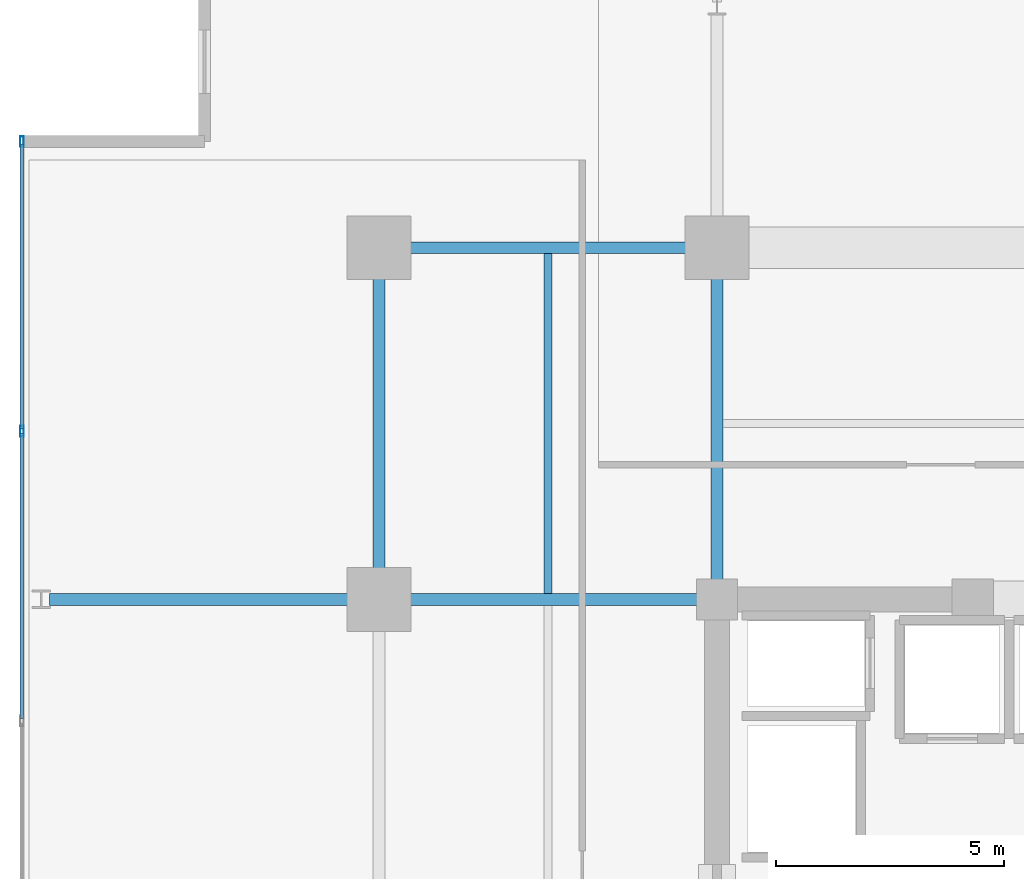
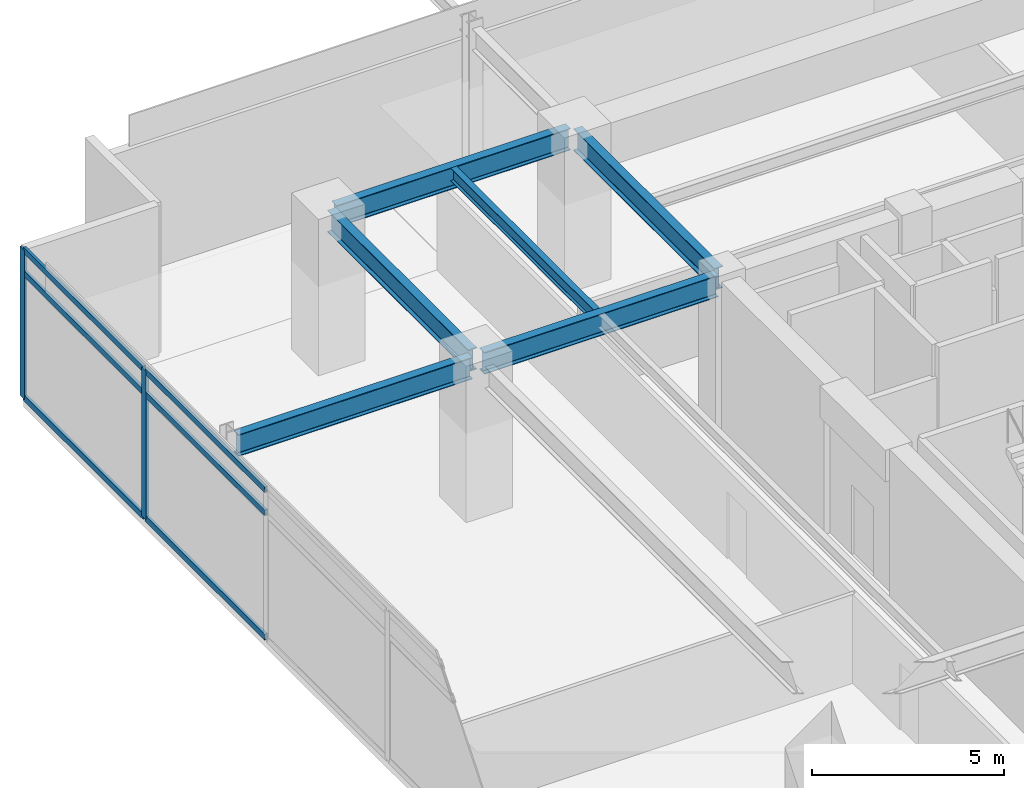
# One storey, part 10 of 21: 8 members, 6 beams, 1 element without a shape of its own.
"""IFC4 building model written with IfcOpenShell, lengths in metres."""

from ifc_helpers import new_model, si_unit, direction, frame, origin, origin_2d, place, context, subcontext, project, spatial, hollow_rectangle, i_section, extrude, material, material_profile, profile_set, type_object, element, aggregate, save


model = new_model("IFC4")

# Units and contexts
model_context = context("Model", 3, precision=1e-05, world=origin(), true_north=direction((0.0, 1.0)))
body_context = subcontext(model_context, "Body", "Model", "MODEL_VIEW")
ifc_project = project(units=[si_unit("LENGTHUNIT", "METRE"), si_unit("AREAUNIT", "SQUARE_METRE"), si_unit("VOLUMEUNIT", "CUBIC_METRE"), si_unit("PLANEANGLEUNIT", "RADIAN"), si_unit("MASSUNIT", "GRAM", prefix="KILO")], contexts=[model_context])

# Site, building, storey
site_placement = place(None, origin())
site = spatial("IfcSite", under=ifc_project, at=site_placement, CompositionType="ELEMENT")
building_placement = place(site_placement, origin())
building = spatial("IfcBuilding", under=site, at=building_placement, Name="Kovane Verandah Tower", CompositionType="ELEMENT")
storey_placement = place(building_placement, frame((0.0, 0.0, 238.199951171875)))
storey = spatial("IfcBuildingStorey", under=building, at=storey_placement, Name="L55", CompositionType="ELEMENT", Elevation=238.199951171875)

# Beams
ifc_material_1 = material(Name="Steel S355", Category="steel")
ifc_material_profile_1 = material_profile(ifc_material_1, i_section(OverallWidth=0.255859375, OverallDepth=0.69287109375, WebThickness=0.014404296875, FlangeThickness=0.023681640625, FilletRadius=0.01513671875, at=origin_2d()), Name="UB686x254x170")
ifc_profile_set_1 = profile_set([ifc_material_profile_1], Name="Steel S355")
beam_type_1 = type_object("IfcBeamType", Name="BM-UB686x170", PredefinedType="BEAM", material=ifc_profile_set_1)
beam_1_placement = place(storey_placement, frame((21.780029296875, 44.199951171875, 4.438720703125), z_axis=(1.0, 0.0, 0.0), x_axis=(0.0, 1.0, 0.0)))
element("IfcBeam", 1, at=beam_1_placement, inside=storey, type_object=beam_type_1, Name="L55 Primary Tower Girder G-RN1", PredefinedType="BEAM", context=body_context, shape_type="SweptSolid", body=[
    extrude(i_section(OverallWidth=0.255859375, OverallDepth=0.69287109375, WebThickness=0.014404296875, FlangeThickness=0.023681640625, FilletRadius=0.01513671875, at=origin_2d()), origin(), (0.0, 0.0, 1.0), 7.0400390625),
])
beam_2_placement = place(storey_placement, frame((21.60009765625, 36.679931640625, 4.438720703125), z_axis=(0.0, 1.0, 0.0), x_axis=(-1.0, 0.0, 0.0)))
element("IfcBeam", 2, at=beam_2_placement, inside=storey, type_object=beam_type_1, Name="L55 Primary Tower Girder G-RW3", PredefinedType="BEAM", context=body_context, shape_type="SweptSolid", body=[
    extrude(i_section(OverallWidth=0.255859375, OverallDepth=0.69287109375, WebThickness=0.014404296875, FlangeThickness=0.023681640625, FilletRadius=0.01513671875, at=origin_2d()), origin(), (0.0, 0.0, 1.0), 7.340087890625),
])
beam_3_placement = place(storey_placement, frame((28.820068359375, 36.5, 4.438720703125), z_axis=(-1.0, 0.0, 0.0), x_axis=(0.0, -1.0, 0.0)))
element("IfcBeam", 3, at=beam_3_placement, inside=storey, type_object=beam_type_1, Name="L55 Primary Tower Girder G-W2", PredefinedType="BEAM", context=body_context, shape_type="SweptSolid", body=[
    extrude(i_section(OverallWidth=0.255859375, OverallDepth=0.69287109375, WebThickness=0.014404296875, FlangeThickness=0.023681640625, FilletRadius=0.01513671875, at=origin_2d()), origin(), (0.0, 0.0, 1.0), 7.0400390625),
])
beam_4_placement = place(storey_placement, frame((29.0, 36.679931640625, 4.438720703125), z_axis=(0.0, 1.0, 0.0), x_axis=(-1.0, 0.0, 0.0)))
element("IfcBeam", 4, at=beam_4_placement, inside=storey, type_object=beam_type_1, Name="L55 Primary Tower Girder G-N1", PredefinedType="BEAM", context=body_context, shape_type="SweptSolid", body=[
    extrude(i_section(OverallWidth=0.255859375, OverallDepth=0.69287109375, WebThickness=0.014404296875, FlangeThickness=0.023681640625, FilletRadius=0.01513671875, at=origin_2d()), origin(), (0.0, 0.0, 1.0), 7.340087890625),
])
beam_5_placement = place(storey_placement, frame((21.419921875, 36.5, 4.41357421875), z_axis=(-1.0, 0.0, 0.0), x_axis=(0.0, -1.0, 0.0)))
element("IfcBeam", 5, at=beam_5_placement, inside=storey, type_object=beam_type_1, Name="L55 Primary Tower Girder G-VW2", PredefinedType="BEAM", context=body_context, shape_type="SweptSolid", body=[
    extrude(i_section(OverallWidth=0.255859375, OverallDepth=0.69287109375, WebThickness=0.014404296875, FlangeThickness=0.023681640625, FilletRadius=0.01513671875, at=origin_2d()), origin(), (0.0, 0.0, 1.0), 7.0400390625),
])

# Curtain wall, members
ifc_material_2 = material(Name="Champagne Anodised Aluminium Frame with Low-E Clear Laminated Glass", Category="aluminium")
curtain_wall_type = type_object("IfcCurtainWallType", Name="CW-SYS-03-MID", PredefinedType="NOTDEFINED", material=ifc_material_2)
curtain_wall_placement = place(storey_placement, origin())
curtain_wall = element("IfcCurtainWall", 6, at=curtain_wall_placement, inside=storey, type_object=curtain_wall_type, Name="L55 W Unitised Curtain Wall", PredefinedType="NOTDEFINED")
ifc_material_3 = material(Name="Champagne Anodised Aluminium 6063-T6", Category="aluminium")
ifc_material_profile_2 = material_profile(ifc_material_3, hollow_rectangle(XDim=0.0849609375, YDim=0.22998046875, WallThickness=0.00390625, at=origin_2d()), Name="AL85x230x4")
ifc_profile_set_2 = profile_set([ifc_material_profile_2], Name="Champagne Anodised Aluminium 6063-T6")
member_type_1 = type_object("IfcMemberType", Name="CW-MUL-85x230", PredefinedType="MULLION", material=ifc_profile_set_2)
member_1_placement = place(storey_placement, frame((13.779296875, 46.5234375, 0.02001953125), z_axis=(0.0, 0.0, 1.0), x_axis=(-1.0, 0.0, 0.0)))
member_1 = element("IfcMember", 7, at=member_1_placement, type_object=member_type_1, Name="L55 W Unitised Curtain Wall Mullion 1", PredefinedType="MULLION", context=body_context, shape_type="SweptSolid", body=[
    extrude(hollow_rectangle(XDim=0.0849609375, YDim=0.22998046875, WallThickness=0.00390625, at=origin_2d()), origin(), (0.0, 0.0, 1.0), 4.7451171875),
])
member_2_placement = place(storey_placement, frame((13.779296875, 40.182373046875, 0.02001953125), z_axis=(0.0, 0.0, 1.0), x_axis=(-1.0, 0.0, 0.0)))
member_2 = element("IfcMember", 8, at=member_2_placement, type_object=member_type_1, Name="L55 W Unitised Curtain Wall Mullion 2", PredefinedType="MULLION", context=body_context, shape_type="SweptSolid", body=[
    extrude(hollow_rectangle(XDim=0.0849609375, YDim=0.22998046875, WallThickness=0.00390625, at=origin_2d()), origin(), (0.0, 0.0, 1.0), 4.7451171875),
])
ifc_material_profile_3 = material_profile(ifc_material_3, hollow_rectangle(XDim=0.0849609375, YDim=0.18994140625, WallThickness=0.00390625, at=origin_2d()), Name="AL85x190x4")
ifc_profile_set_3 = profile_set([ifc_material_profile_3], Name="Champagne Anodised Aluminium 6063-T6")
member_type_2 = type_object("IfcMemberType", Name="CW-TRN-85x190", PredefinedType="USERDEFINED", material=ifc_profile_set_3)
member_3_placement = place(storey_placement, frame((13.779296875, 46.473388671875, 0.050048828125), z_axis=(0.0, -1.0, 0.0), x_axis=(1.0, 0.0, 0.0)))
member_3 = element("IfcMember", 9, at=member_3_placement, type_object=member_type_2, Name="L55 W Unitised Curtain Wall Transom TB Bay 1", ObjectType="TRANSOM", PredefinedType="USERDEFINED", context=body_context, shape_type="SweptSolid", body=[
    extrude(hollow_rectangle(XDim=0.0849609375, YDim=0.18994140625, WallThickness=0.00390625, at=origin_2d()), origin(), (0.0, 0.0, 1.0), 6.240966796875),
])
member_4_placement = place(storey_placement, frame((13.779296875, 46.473388671875, 4.005126953125), z_axis=(0.0, -1.0, 0.0), x_axis=(1.0, 0.0, 0.0)))
member_4 = element("IfcMember", 10, at=member_4_placement, type_object=member_type_2, Name="L55 W Unitised Curtain Wall Transom TM Bay 1", ObjectType="TRANSOM", PredefinedType="USERDEFINED", context=body_context, shape_type="SweptSolid", body=[
    extrude(hollow_rectangle(XDim=0.0849609375, YDim=0.18994140625, WallThickness=0.00390625, at=origin_2d()), origin(), (0.0, 0.0, 1.0), 6.240966796875),
])
member_5_placement = place(storey_placement, frame((13.779296875, 46.473388671875, 4.735107421875), z_axis=(0.0, -1.0, 0.0), x_axis=(1.0, 0.0, 0.0)))
member_5 = element("IfcMember", 11, at=member_5_placement, type_object=member_type_2, Name="L55 W Unitised Curtain Wall Transom TT Bay 1", ObjectType="TRANSOM", PredefinedType="USERDEFINED", context=body_context, shape_type="SweptSolid", body=[
    extrude(hollow_rectangle(XDim=0.0849609375, YDim=0.18994140625, WallThickness=0.00390625, at=origin_2d()), origin(), (0.0, 0.0, 1.0), 6.240966796875),
])
member_6_placement = place(storey_placement, frame((13.779296875, 40.13232421875, 0.050048828125), z_axis=(0.0, -1.0, 0.0), x_axis=(1.0, 0.0, 0.0)))
member_6 = element("IfcMember", 12, at=member_6_placement, type_object=member_type_2, Name="L55 W Unitised Curtain Wall Transom TB Bay 2", ObjectType="TRANSOM", PredefinedType="USERDEFINED", context=body_context, shape_type="SweptSolid", body=[
    extrude(hollow_rectangle(XDim=0.0849609375, YDim=0.18994140625, WallThickness=0.00390625, at=origin_2d()), origin(), (0.0, 0.0, 1.0), 6.2412109375),
])
member_7_placement = place(storey_placement, frame((13.779296875, 40.13232421875, 4.005126953125), z_axis=(0.0, -1.0, 0.0), x_axis=(1.0, 0.0, 0.0)))
member_7 = element("IfcMember", 13, at=member_7_placement, type_object=member_type_2, Name="L55 W Unitised Curtain Wall Transom TM Bay 2", ObjectType="TRANSOM", PredefinedType="USERDEFINED", context=body_context, shape_type="SweptSolid", body=[
    extrude(hollow_rectangle(XDim=0.0849609375, YDim=0.18994140625, WallThickness=0.00390625, at=origin_2d()), origin(), (0.0, 0.0, 1.0), 6.2412109375),
])
member_8_placement = place(storey_placement, frame((13.779296875, 40.13232421875, 4.735107421875), z_axis=(0.0, -1.0, 0.0), x_axis=(1.0, 0.0, 0.0)))
member_8 = element("IfcMember", 14, at=member_8_placement, type_object=member_type_2, Name="L55 W Unitised Curtain Wall Transom TT Bay 2", ObjectType="TRANSOM", PredefinedType="USERDEFINED", context=body_context, shape_type="SweptSolid", body=[
    extrude(hollow_rectangle(XDim=0.0849609375, YDim=0.18994140625, WallThickness=0.00390625, at=origin_2d()), origin(), (0.0, 0.0, 1.0), 6.2412109375),
])
aggregate(curtain_wall, [member_1, member_2, member_3, member_4, member_5, member_6, member_7, member_8])

# Beam
ifc_material_profile_4 = material_profile(ifc_material_1, i_section(OverallWidth=0.179443359375, OverallDepth=0.412841796875, WebThickness=0.009521484375, FlangeThickness=0.01611328125, FilletRadius=0.01025390625, at=origin_2d()), Name="UB406x178x74")
ifc_profile_set_4 = profile_set([ifc_material_profile_4], Name="Steel S355")
beam_type_2 = type_object("IfcBeamType", Name="JST-UB406x74", PredefinedType="JOIST", material=ifc_profile_set_4)
beam_6_placement = place(storey_placement, frame((25.300048828125, 36.6259765625, 4.57861328125), z_axis=(0.0, 1.0, 0.0), x_axis=(-1.0, 0.0, 0.0)))
element("IfcBeam", 15, at=beam_6_placement, inside=storey, type_object=beam_type_2, Name="L55 Secondary Composite Joist J-NW1", PredefinedType="JOIST", context=body_context, shape_type="SweptSolid", body=[
    extrude(i_section(OverallWidth=0.179443359375, OverallDepth=0.412841796875, WebThickness=0.009521484375, FlangeThickness=0.01611328125, FilletRadius=0.01025390625, at=origin_2d()), origin(), (0.0, 0.0, 1.0), 7.4482421875),
])

save(model, "model.ifc")
